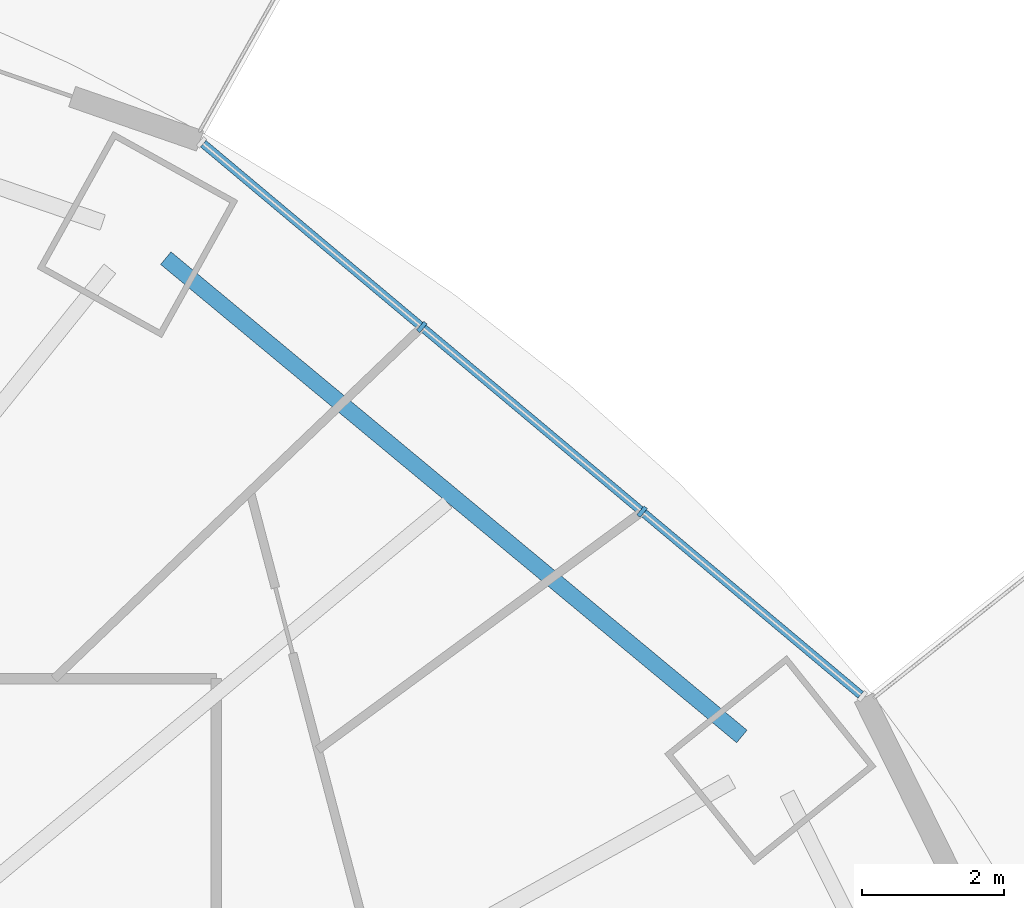
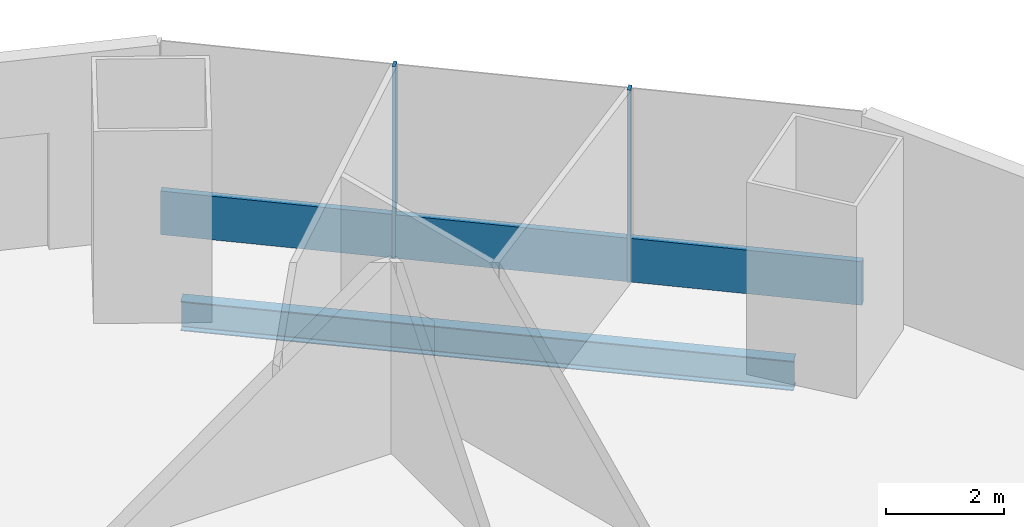
# One storey, part 10 of 21: 3 members, 1 beam, 1 element without a shape of its own.
"""IFC4 building model written with IfcOpenShell, lengths in metres."""

from ifc_helpers import new_model, si_unit, direction, frame, origin, origin_2d, place, context, subcontext, project, spatial, rectangle, i_section, extrude, material, material_profile, profile_set, type_object, element, aggregate, save


model = new_model("IFC4")

# Units and contexts
model_context = context("Model", 3, precision=1e-05, world=origin(), true_north=direction((0.0, 1.0)))
body_context = subcontext(model_context, "Body", "Model", "MODEL_VIEW")
ifc_project = project(units=[si_unit("LENGTHUNIT", "METRE"), si_unit("AREAUNIT", "SQUARE_METRE"), si_unit("VOLUMEUNIT", "CUBIC_METRE"), si_unit("PLANEANGLEUNIT", "RADIAN"), si_unit("MASSUNIT", "GRAM", prefix="KILO")], contexts=[model_context])

# Site, building, storey
site_placement = place(None, origin())
site = spatial("IfcSite", under=ifc_project, at=site_placement, CompositionType="ELEMENT")
building_placement = place(site_placement, origin())
building = spatial("IfcBuilding", under=site, at=building_placement, Name="Marenthal Gate Tower", CompositionType="ELEMENT")
storey_placement = place(building_placement, frame((0.0, 0.0, 128.449951171875)))
storey = spatial("IfcBuildingStorey", under=building, at=storey_placement, Name="L27", CompositionType="ELEMENT", Elevation=128.449951171875)

# Curtain wall, members
ifc_material_1 = material(Name="Aluminium and glass", Category="aluminium")
curtain_wall_type = type_object("IfcCurtainWallType", Name="Curtain wall typical low", PredefinedType="NOTDEFINED", material=ifc_material_1)
curtain_wall_placement = place(storey_placement, origin())
curtain_wall = element("IfcCurtainWall", 1, at=curtain_wall_placement, inside=storey, type_object=curtain_wall_type, Name="Curtain wall L27 bay 2", PredefinedType="NOTDEFINED")
ifc_material_2 = material(Name="Aluminium", Category="aluminium")
ifc_material_profile_1 = material_profile(ifc_material_2, rectangle(XDim=0.159912109375, YDim=0.06005859375, at=origin_2d()), Name="60x160 aluminium mullion")
ifc_profile_set_1 = profile_set([ifc_material_profile_1], Name="Aluminium")
member_type_1 = type_object("IfcMemberType", Name="Mullion 60x160 typical low", PredefinedType="MULLION", material=ifc_profile_set_1)
member_1_placement = place(storey_placement, frame((24.975830078125, 18.345947265625, 0.0), z_axis=(0.0, 0.0, 1.0), x_axis=(-0.642437868504, -0.766337774817, 0.0)))
member_1 = element("IfcMember", 2, at=member_1_placement, type_object=member_type_1, Name="Mullion L27 bay 2.2", PredefinedType="MULLION", context=body_context, shape_type="SweptSolid", body=[
    extrude(rectangle(XDim=0.159912109375, YDim=0.06005859375, at=origin_2d()), origin(), (0.0, 0.0, 1.0), 3.969970703125),
])
member_2_placement = place(storey_placement, frame((21.884033203125, 20.937744140625, 0.0), z_axis=(0.0, 0.0, 1.0), x_axis=(-0.642437868504, -0.766337774817, 0.0)))
member_2 = element("IfcMember", 3, at=member_2_placement, type_object=member_type_1, Name="Mullion L27 bay 2.3", PredefinedType="MULLION", context=body_context, shape_type="SweptSolid", body=[
    extrude(rectangle(XDim=0.159912109375, YDim=0.06005859375, at=origin_2d()), origin(), (0.0, 0.0, 1.0), 3.969970703125),
])
ifc_material_3 = material(Name="Aluminium", Category="aluminium")
ifc_material_profile_2 = material_profile(ifc_material_3, rectangle(XDim=0.1201171875, YDim=0.89990234375, at=origin_2d()), Name="120x900 aluminium transom")
ifc_profile_set_2 = profile_set([ifc_material_profile_2], Name="Aluminium")
member_type_2 = type_object("IfcMemberType", Name="Transom 120x900 typical low", PredefinedType="USERDEFINED", material=ifc_profile_set_2)
member_3_placement = place(storey_placement, frame((28.04443359375, 15.7734375, 0.449951171875), z_axis=(-0.766340278264, 0.642434882233, 0.0), x_axis=(-0.642434882233, -0.766340278264, 0.0)))
member_3 = element("IfcMember", 4, at=member_3_placement, type_object=member_type_2, Name="Transom L27 bay 2", ObjectType="TRANSOM", PredefinedType="USERDEFINED", context=body_context, shape_type="SweptSolid", body=[
    extrude(rectangle(XDim=0.1201171875, YDim=0.89990234375, at=origin_2d()), origin(), (0.0, 0.0, 1.0), 12.04296875),
])
aggregate(curtain_wall, [member_1, member_2, member_3])

# Beam
ifc_material_4 = material(Name="Steel S355", Category="steel")
ifc_material_profile_3 = material_profile(ifc_material_4, i_section(OverallWidth=0.22900390625, OverallDepth=0.612060546875, WebThickness=0.011962890625, FlangeThickness=0.01953125, FilletRadius=0.0126953125, at=origin_2d()), Name="W610X125")
ifc_profile_set_3 = profile_set([ifc_material_profile_3], Name="Steel S355")
beam_type = type_object("IfcBeamType", Name="W610X125 beam", PredefinedType="BEAM", material=ifc_profile_set_3)
beam_placement = place(storey_placement, frame((26.376220703125, 15.189697265625, -0.48583984375), z_axis=(-0.769335786628, 0.638844619148, 0.0), x_axis=(-0.638844619148, -0.769335786628, 0.0)))
element("IfcBeam", 5, at=beam_placement, inside=storey, type_object=beam_type, Name="BM-L27-42", PredefinedType="BEAM", context=body_context, shape_type="SweptSolid", body=[
    extrude(i_section(OverallWidth=0.22900390625, OverallDepth=0.612060546875, WebThickness=0.011962890625, FlangeThickness=0.01953125, FilletRadius=0.0126953125, at=origin_2d()), origin(), (0.0, 0.0, 1.0), 10.510986328125),
])

save(model, "model.ifc")
